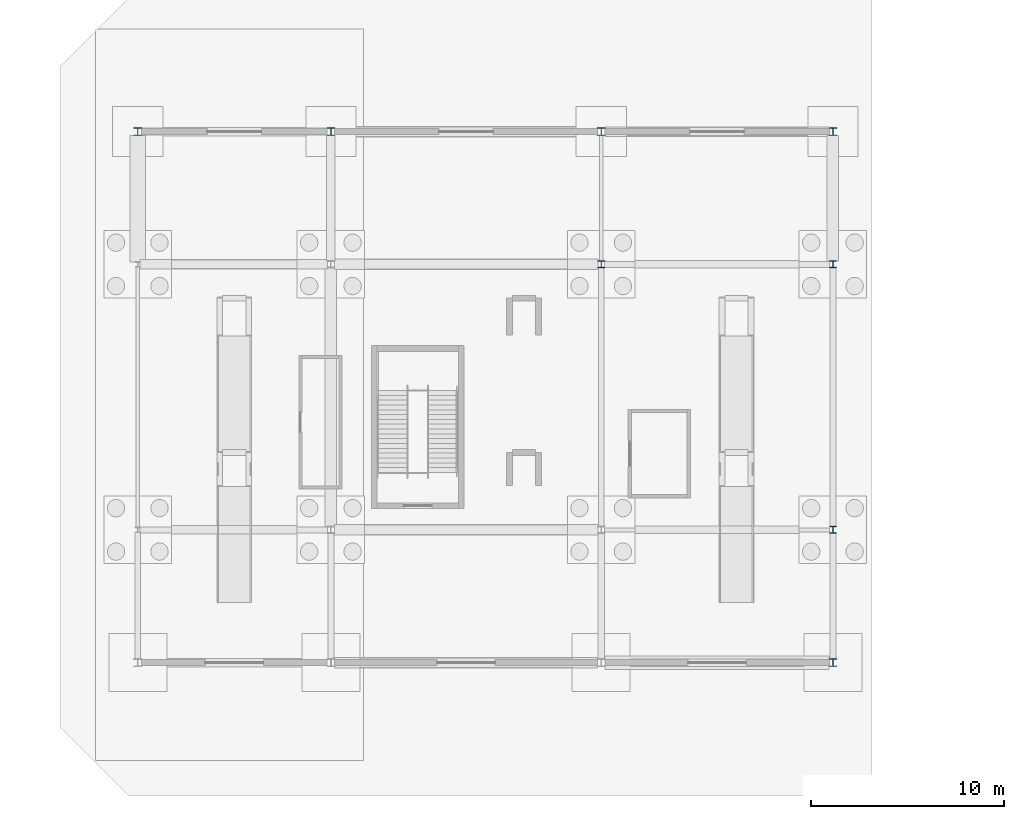
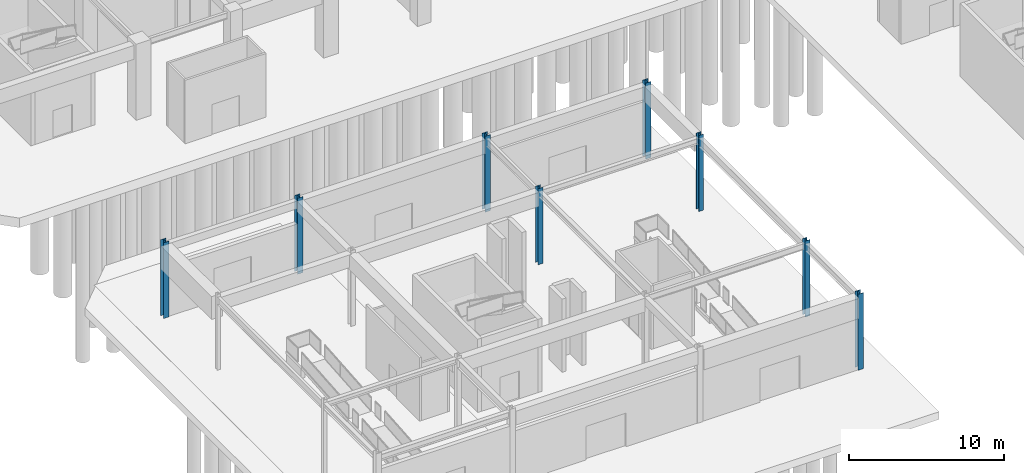
# One storey, part 9 of 62: 8 columns.
"""IFC4 building model written with IfcOpenShell, lengths in metres."""

from ifc_helpers import new_model, si_unit, direction, frame, origin, origin_2d, place, context, subcontext, project, spatial, i_section, extrude, material, material_profile, profile_set, type_object, element, save


model = new_model("IFC4")

# Units and contexts
model_context = context("Model", 3, precision=1e-05, world=origin(), true_north=direction((0.0, 1.0)))
body_context = subcontext(model_context, "Body", "Model", "MODEL_VIEW")
ifc_project = project(units=[si_unit("LENGTHUNIT", "METRE"), si_unit("AREAUNIT", "SQUARE_METRE"), si_unit("VOLUMEUNIT", "CUBIC_METRE"), si_unit("PLANEANGLEUNIT", "RADIAN"), si_unit("MASSUNIT", "GRAM", prefix="KILO")], contexts=[model_context])

# Site, building, storey
site_placement = place(None, origin())
site = spatial("IfcSite", under=ifc_project, at=site_placement, CompositionType="ELEMENT")
building_placement = place(site_placement, origin())
building = spatial("IfcBuilding", under=site, at=building_placement, Name="Linyun Crest Stadium", CompositionType="ELEMENT")
storey_placement = place(building_placement, frame((0.0, 0.0, -6.0)))
storey = spatial("IfcBuildingStorey", under=building, at=storey_placement, Name="B1", CompositionType="ELEMENT", Elevation=-6.0)

# Columns
ifc_material_1 = material(Name="Steel Q355C", Category="steel")
ifc_material_profile_1 = material_profile(ifc_material_1, i_section(OverallWidth=0.35009765625, OverallDepth=0.35009765625, WebThickness=0.011962890625, FlangeThickness=0.01904296875, at=origin_2d()), Name="HW 350x350")
ifc_profile_set_1 = profile_set([ifc_material_profile_1], Name="Steel Q355C")
column_type_1 = type_object("IfcColumnType", Name="SC01", PredefinedType="COLUMN", material=ifc_profile_set_1)
for number, where, z_axis, x_axis, name in (
    (1, (-70.0, -73.5, 0.0), (0.0, 0.0, 1.0), (1.0, 0.0, 0.0), "Column SC01 B1 880"),
    (2, (-58.0, -87.25, 0.0), (0.0, 0.0, 1.0), (1.0, 0.0, 0.0), "Column SC01 B1 889"),
    (3, (-58.0, -73.5, 0.0), (0.0, 0.0, 1.0), (1.0, 0.0, 0.0), "Column SC01 B1 892"),
):
    element("IfcColumn", number, at=place(storey_placement, frame(where, z_axis=z_axis, x_axis=x_axis)), inside=storey, type_object=column_type_1, Name=name, PredefinedType="COLUMN", context=body_context, shape_type="SweptSolid", body=[
        extrude(i_section(OverallWidth=0.35009765625, OverallDepth=0.35009765625, WebThickness=0.011962890625, FlangeThickness=0.01904296875, at=origin_2d()), origin(), (0.0, 0.0, 1.0), 5.998046875),
    ])
ifc_material_2 = material(Name="Steel Q355C", Category="steel")
ifc_material_profile_2 = material_profile(ifc_material_2, i_section(OverallWidth=0.39990234375, OverallDepth=0.39990234375, WebThickness=0.012939453125, FlangeThickness=0.02099609375, at=origin_2d()), Name="HW 400x400")
ifc_profile_set_2 = profile_set([ifc_material_profile_2], Name="Steel Q355C")
column_type_2 = type_object("IfcColumnType", Name="SC02", PredefinedType="COLUMN", material=ifc_profile_set_2)
for number, where, z_axis, x_axis, name in (
    (4, (-94.0, -66.625, 0.0), (0.0, 0.0, 1.0), (1.0, 0.0, 0.0), "Column SC02 B1 859"),
    (5, (-84.0, -66.625, 0.0), (0.0, 0.0, 1.0), (1.0, 0.0, 0.0), "Column SC02 B1 871"),
    (6, (-70.0, -66.625, 0.0), (0.0, 0.0, 1.0), (1.0, 0.0, 0.0), "Column SC02 B1 883"),
    (7, (-58.0, -94.125, 0.0), (0.0, 0.0, 1.0), (1.0, 0.0, 0.0), "Column SC02 B1 886"),
    (8, (-58.0, -66.625, 0.0), (0.0, 0.0, 1.0), (1.0, 0.0, 0.0), "Column SC02 B1 895"),
):
    element("IfcColumn", number, at=place(storey_placement, frame(where, z_axis=z_axis, x_axis=x_axis)), inside=storey, type_object=column_type_2, Name=name, PredefinedType="COLUMN", context=body_context, shape_type="SweptSolid", body=[
        extrude(i_section(OverallWidth=0.39990234375, OverallDepth=0.39990234375, WebThickness=0.012939453125, FlangeThickness=0.02099609375, at=origin_2d()), origin(), (0.0, 0.0, 1.0), 5.998046875),
    ])

save(model, "model.ifc")
